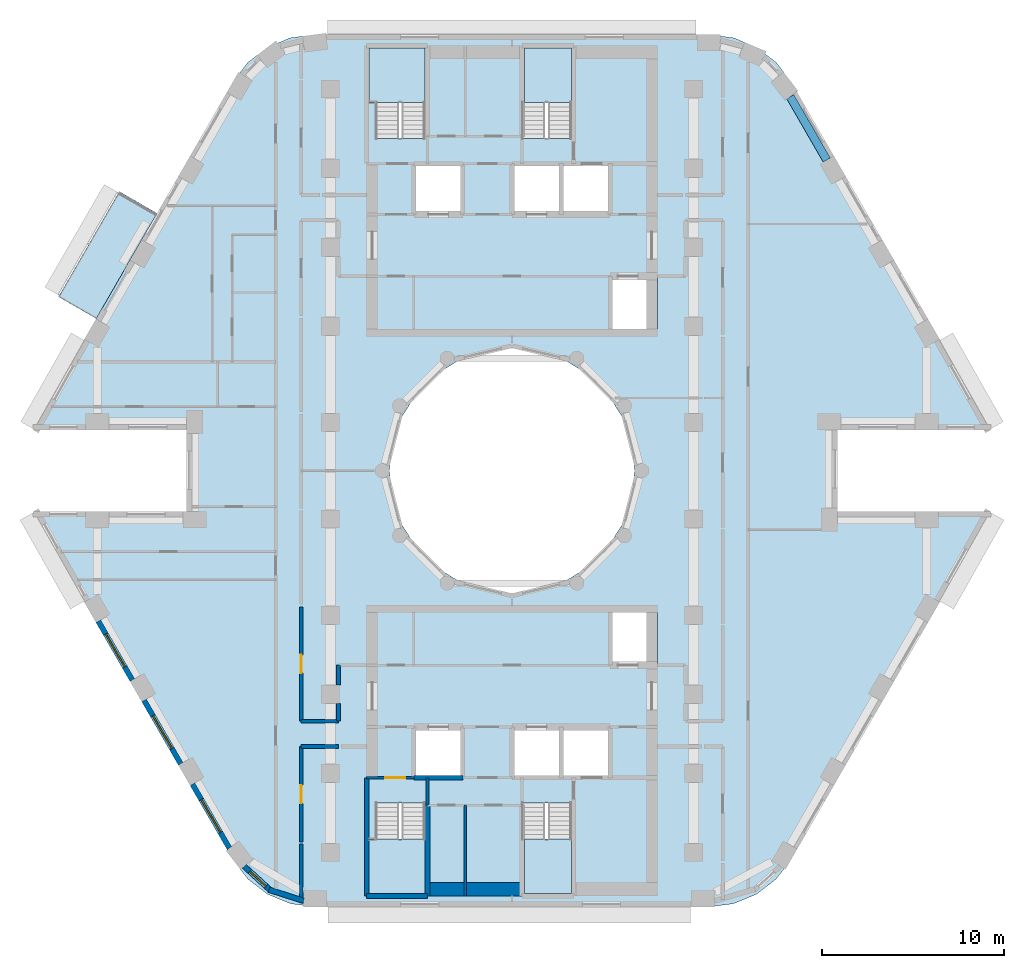
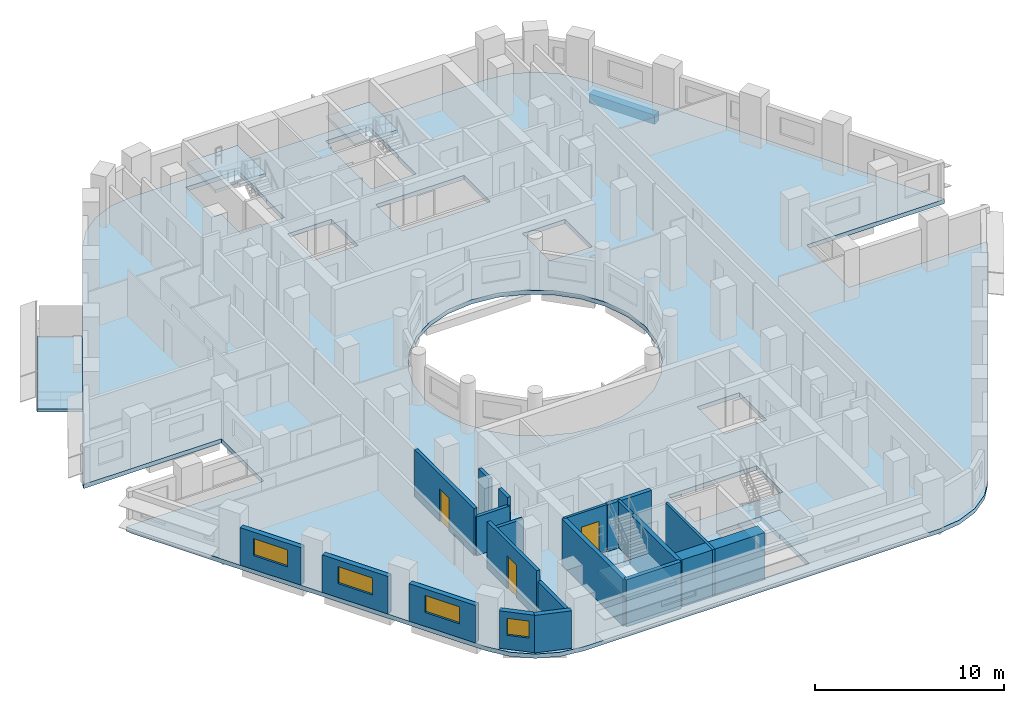
# One storey, part 2 of 13: 20 walls, 6 slabs, 4 windows, 3 doors, 1 beam, 7 openings, 4 elements without a shape of their own.
"""IFC4 building model written with IfcOpenShell, lengths in metres."""

from ifc_helpers import new_model, si_unit, direction, frame, frame_2d, origin, origin_2d, place, context, subcontext, project, spatial, polyline, rectangle, outline, extrude, material, layer, layer_set, material_profile, profile_set, type_object, element, fill, aggregate, save


model = new_model("IFC4")

# Units and contexts
model_context = context("Model", 3, precision=1e-05, world=origin(), true_north=direction((0.0, 1.0)))
body_context = subcontext(model_context, "Body", "Model", "MODEL_VIEW")
ifc_project = project(units=[si_unit("LENGTHUNIT", "METRE"), si_unit("AREAUNIT", "SQUARE_METRE"), si_unit("VOLUMEUNIT", "CUBIC_METRE"), si_unit("PLANEANGLEUNIT", "RADIAN"), si_unit("MASSUNIT", "GRAM", prefix="KILO")], contexts=[model_context])

# Site, building, storey
site_placement = place(None, origin())
site = spatial("IfcSite", under=ifc_project, at=site_placement, CompositionType="ELEMENT")
building_placement = place(site_placement, origin())
building = spatial("IfcBuilding", under=site, at=building_placement, Name="Nakaniwa Court", CompositionType="ELEMENT")
storey_placement = place(building_placement, frame((0.0, 0.0, 133.800048828125)))
storey = spatial("IfcBuildingStorey", under=building, at=storey_placement, Name="L34", CompositionType="ELEMENT", Elevation=133.800048828125)

# Beam
ifc_material_1 = material(Name="Concrete C80/100", Category="concrete")
ifc_material_profile = material_profile(ifc_material_1, rectangle(XDim=0.449951171875, YDim=0.60009765625, at=origin_2d()), Name="Concrete C80/100 RC 450x600 spandrel beam")
ifc_profile_set = profile_set([ifc_material_profile], Name="Concrete C80/100")
beam_type = type_object("IfcBeamType", Name="Concrete C80/100 RC 450x600 spandrel beam", PredefinedType="BEAM", material=ifc_profile_set)
beam_placement = place(storey_placement, frame((97.320556640625, 97.10009765625, -0.574951171875), z_axis=(-0.500018573463, 0.866014680125, 0.0), x_axis=(-0.866014680125, -0.500018573463, 0.0)))
element("IfcBeam", 1, at=beam_placement, inside=storey, type_object=beam_type, Name="SPANDREL BEAM", PredefinedType="BEAM", context=body_context, shape_type="SweptSolid", body=[
    extrude(rectangle(XDim=0.449951171875, YDim=0.60009765625, at=origin_2d()), origin(), (0.0, 0.0, 1.0), 4.020263671875),
])

# Slabs
ifc_material_2 = material(Name="Charcoal ceramic paver")
ifc_layer_1 = layer(ifc_material_2, 0.02, Name="Ceramic paver")
ifc_material_3 = material(Name="Cement sand screed")
ifc_layer_2 = layer(ifc_material_3, 0.03, Name="Falls screed")
ifc_material_4 = material(Name="Concrete C40/50", Category="concrete")
ifc_layer_3 = layer(ifc_material_4, 0.15, Name="Balcony slab")
ifc_layer_set_1 = layer_set([ifc_layer_1, ifc_layer_2, ifc_layer_3], Name="Concrete C40/50 balcony slab with ceramic paver finish")
slab_type_1 = type_object("IfcSlabType", Name="Balcony slab 200", PredefinedType="FLOOR", material=ifc_layer_set_1)
slab_1_placement = place(storey_placement, frame((0.0, 0.0, -0.25)))
element("IfcSlab", 2, at=slab_1_placement, inside=storey, type_object=slab_type_1, Name="L34 balcony 01", PredefinedType="FLOOR", context=body_context, shape_type="SweptSolid", body=[
    extrude(outline(polyline([(60.466796875, 94.16748046875), (57.12255859375, 88.375), (55.044189453125, 89.574951171875), (58.38818359375, 95.36767578125), (60.466796875, 94.16748046875)])), origin(), (0.0, 0.0, 1.0), 0.199951171875),
])
ifc_layer_4 = layer(ifc_material_1, 0.27490234375)
ifc_layer_set_2 = layer_set([ifc_layer_4], Name="Concrete C80/100")
slab_type_2 = type_object("IfcSlabType", Name="Concrete C80/100 post tensioned floor slab 275", PredefinedType="FLOOR", material=ifc_layer_set_2)
slab_2_placement = place(storey_placement, frame((0.0, 0.0, -0.275146484375)))
element("IfcSlab", 3, at=slab_2_placement, inside=storey, type_object=slab_type_2, Name="FLOOR SLAB", PredefinedType="FLOOR", context=body_context, shape_type="SweptSolid", body=[
    extrude(outline(polyline([(97.908447265625, 82.25), (106.356689453125, 82.25), (106.211669921875, 82.60009765625), (95.357421875, 101.39990234375), (94.531005859375, 102.47705078125), (93.4541015625, 103.30322265625), (92.199951171875, 103.82275390625), (90.854248046875, 104.0), (69.145751953125, 104.0), (67.800048828125, 103.82275390625), (66.5458984375, 103.30322265625), (65.468994140625, 102.47705078125), (64.642578125, 101.39990234375), (53.788330078125, 82.60009765625), (53.643310546875, 82.25), (62.091552734375, 82.25), (62.091552734375, 77.75), (53.643310546875, 77.75), (53.788330078125, 77.39990234375), (64.642578125, 58.60009765625), (65.468994140625, 57.52294921875), (66.5458984375, 56.69677734375), (67.800048828125, 56.17724609375), (69.145751953125, 56.0), (90.854248046875, 56.0), (92.199951171875, 56.17724609375), (93.4541015625, 56.69677734375), (94.531005859375, 57.52294921875), (95.357421875, 58.60009765625), (106.211669921875, 77.39990234375), (106.356689453125, 77.75), (97.908447265625, 77.75), (97.908447265625, 82.25)]), holes=[polyline([(81.501953125, 86.580810546875), (80.0, 86.75), (78.498046875, 86.580810546875), (77.0712890625, 86.08154296875), (75.79150390625, 85.27734375), (74.72265625, 84.20849609375), (73.91845703125, 82.9287109375), (73.419189453125, 81.501953125), (73.25, 80.0), (73.419189453125, 78.498046875), (73.91845703125, 77.0712890625), (74.72265625, 75.79150390625), (75.79150390625, 74.72265625), (77.0712890625, 73.91845703125), (78.498046875, 73.419189453125), (80.0, 73.25), (81.501953125, 73.419189453125), (82.9287109375, 73.91845703125), (84.20849609375, 74.72265625), (85.27734375, 75.79150390625), (86.08154296875, 77.0712890625), (86.580810546875, 78.498046875), (86.75, 80.0), (86.580810546875, 81.501953125), (86.08154296875, 82.9287109375), (85.27734375, 84.20849609375), (84.20849609375, 85.27734375), (82.9287109375, 86.08154296875), (81.501953125, 86.580810546875)]), polyline([(72.47509765625, 61.7099609375), (72.47509765625, 59.764892578125), (72.0849609375, 59.764892578125), (72.0849609375, 56.68505859375), (75.264892578125, 56.68505859375), (75.264892578125, 59.764892578125), (75.22509765625, 59.764892578125), (75.22509765625, 61.7099609375), (72.47509765625, 61.7099609375)]), polyline([(77.300048828125, 65.89990234375), (74.60009765625, 65.89990234375), (74.60009765625, 63.10009765625), (77.300048828125, 63.10009765625), (77.300048828125, 65.89990234375)]), polyline([(80.0, 65.89990234375), (80.0, 63.10009765625), (82.699951171875, 63.10009765625), (85.39990234375, 63.10009765625), (85.39990234375, 65.89990234375), (82.699951171875, 65.89990234375), (80.0, 65.89990234375)]), polyline([(77.300048828125, 96.89990234375), (74.60009765625, 96.89990234375), (74.60009765625, 94.10009765625), (77.300048828125, 94.10009765625), (77.300048828125, 96.89990234375)]), polyline([(80.0, 96.89990234375), (80.0, 94.10009765625), (82.699951171875, 94.10009765625), (85.39990234375, 94.10009765625), (85.39990234375, 96.89990234375), (82.699951171875, 96.89990234375), (80.0, 96.89990234375)]), polyline([(75.264892578125, 100.235107421875), (75.264892578125, 103.31494140625), (72.0849609375, 103.31494140625), (72.0849609375, 100.235107421875), (72.47509765625, 100.235107421875), (72.47509765625, 98.2900390625), (75.22509765625, 98.2900390625), (75.22509765625, 100.235107421875), (75.264892578125, 100.235107421875)]), polyline([(83.27490234375, 61.7099609375), (80.52490234375, 61.7099609375), (80.52490234375, 57.324951171875), (80.635009765625, 57.324951171875), (80.635009765625, 56.68505859375), (83.31494140625, 56.68505859375), (83.31494140625, 59.764892578125), (83.27490234375, 59.764892578125), (83.27490234375, 61.7099609375)]), polyline([(88.0, 72.199951171875), (85.39990234375, 72.199951171875), (85.39990234375, 69.300048828125), (88.0, 69.300048828125), (88.0, 72.199951171875)]), polyline([(88.0, 90.699951171875), (85.39990234375, 90.699951171875), (85.39990234375, 87.800048828125), (88.0, 87.800048828125), (88.0, 90.699951171875)]), polyline([(83.31494140625, 100.235107421875), (83.31494140625, 103.31494140625), (80.635009765625, 103.31494140625), (80.635009765625, 102.675048828125), (80.52490234375, 102.675048828125), (80.52490234375, 98.2900390625), (83.27490234375, 98.2900390625), (83.27490234375, 100.235107421875), (83.31494140625, 100.235107421875)])]), origin(), (0.0, 0.0, 1.0), 0.275146484375),
])

# Stair, slab
stair_type = type_object("IfcStairType", Name="Dog leg stair 1300 wide 18 risers", PredefinedType="HALF_TURN_STAIR", material=ifc_material_1)
stair_1_placement = place(storey_placement, origin())
stair_1 = element("IfcStair", 4, at=stair_1_placement, inside=storey, type_object=stair_type, Name="L34 Stair ST1", PredefinedType="HALF_TURN_STAIR")
ifc_layer_5 = layer(ifc_material_1, 0.199951171875)
ifc_layer_set_3 = layer_set([ifc_layer_5], Name="Concrete C80/100")
slab_type_3 = type_object("IfcSlabType", Name="Stair landing concrete", PredefinedType="LANDING", material=ifc_layer_set_3)
slab_3_placement = place(storey_placement, frame((0.0, 0.0, 1.449951171875)))
slab_3 = element("IfcSlab", 5, at=slab_3_placement, type_object=slab_type_3, Name="ST1 landing 1", PredefinedType="LANDING", context=body_context, shape_type="SweptSolid", body=[
    extrude(outline(polyline([(75.22509765625, 100.27490234375), (75.22509765625, 103.27490234375), (72.125, 103.27490234375), (72.125, 100.27490234375), (75.22509765625, 100.27490234375)])), origin(), (0.0, 0.0, 1.0), 0.199951171875),
])
aggregate(stair_1, [slab_3])

stair_2_placement = place(storey_placement, origin())
stair_2 = element("IfcStair", 6, at=stair_2_placement, inside=storey, type_object=stair_type, Name="L34 Stair ST2", PredefinedType="HALF_TURN_STAIR")
slab_4_placement = place(storey_placement, frame((0.0, 0.0, 1.449951171875)))
slab_4 = element("IfcSlab", 7, at=slab_4_placement, type_object=slab_type_3, Name="ST2 landing 1", PredefinedType="LANDING", context=body_context, shape_type="SweptSolid", body=[
    extrude(outline(polyline([(83.27490234375, 100.27490234375), (83.27490234375, 103.27490234375), (80.675048828125, 103.27490234375), (80.675048828125, 100.27490234375), (83.27490234375, 100.27490234375)])), origin(), (0.0, 0.0, 1.0), 0.199951171875),
])
aggregate(stair_2, [slab_4])

stair_3_placement = place(storey_placement, origin())
stair_3 = element("IfcStair", 8, at=stair_3_placement, inside=storey, type_object=stair_type, Name="L34 Stair ST3", PredefinedType="HALF_TURN_STAIR")
slab_5_placement = place(storey_placement, frame((0.0, 0.0, 1.449951171875)))
slab_5 = element("IfcSlab", 9, at=slab_5_placement, type_object=slab_type_3, Name="ST3 landing 1", PredefinedType="LANDING", context=body_context, shape_type="SweptSolid", body=[
    extrude(outline(polyline([(75.22509765625, 56.72509765625), (75.22509765625, 59.72509765625), (72.125, 59.72509765625), (72.125, 56.72509765625), (75.22509765625, 56.72509765625)])), origin(), (0.0, 0.0, 1.0), 0.199951171875),
])
aggregate(stair_3, [slab_5])

stair_4_placement = place(storey_placement, origin())
stair_4 = element("IfcStair", 10, at=stair_4_placement, inside=storey, type_object=stair_type, Name="L34 Stair ST4", PredefinedType="HALF_TURN_STAIR")
slab_6_placement = place(storey_placement, frame((0.0, 0.0, 1.449951171875)))
slab_6 = element("IfcSlab", 11, at=slab_6_placement, type_object=slab_type_3, Name="ST4 landing 1", PredefinedType="LANDING", context=body_context, shape_type="SweptSolid", body=[
    extrude(outline(polyline([(83.27490234375, 56.72509765625), (83.27490234375, 59.72509765625), (80.675048828125, 59.72509765625), (80.675048828125, 56.72509765625), (83.27490234375, 56.72509765625)])), origin(), (0.0, 0.0, 1.0), 0.199951171875),
])
aggregate(stair_4, [slab_6])

# Walls
ifc_material_5 = material(Name="Acoustic double stud partition")
ifc_layer_6 = layer(ifc_material_5, 0.199951171875)
ifc_layer_set_4 = layer_set([ifc_layer_6], Name="Acoustic double stud partition")
wall_type_1 = type_object("IfcWallType", Name="Acoustic double stud partition 200", PredefinedType="PARTITIONING", material=ifc_layer_set_4)
wall_1_placement = place(storey_placement, frame((68.39990234375, 64.824951171875, 0.0), z_axis=(0.0, 0.0, 1.0), x_axis=(1.0, 0.0, 0.0)))
element("IfcWall", 12, at=wall_1_placement, inside=storey, type_object=wall_type_1, Name="Partition PW-073", PredefinedType="PARTITIONING", context=body_context, shape_type="SweptSolid", body=[
    extrude(rectangle(XDim=2.06298828125, YDim=0.199951171875, at=frame_2d((1.031494140625, 0.0))), origin(), (0.0, 0.0, 1.0), 2.5048828125),
])
wall_2_placement = place(storey_placement, frame((68.39990234375, 66.22509765625, 0.0), z_axis=(0.0, 0.0, 1.0), x_axis=(1.0, 0.0, 0.0)))
element("IfcWall", 13, at=wall_2_placement, inside=storey, type_object=wall_type_1, Name="Partition PW-084", PredefinedType="PARTITIONING", context=body_context, shape_type="SweptSolid", body=[
    extrude(rectangle(XDim=2.050048828125, YDim=0.199951171875, at=frame_2d((1.02490234375, 0.0))), origin(), (0.0, 0.0, 1.0), 2.5048828125),
])
wall_3_placement = place(storey_placement, frame((68.39990234375, 56.40087890625, 0.0), z_axis=(0.0, 0.0, 1.0), x_axis=(0.0, 1.0, 0.0)))
element("IfcWall", 14, at=wall_3_placement, inside=storey, type_object=wall_type_1, Name="Partition PW-094", PredefinedType="PARTITIONING", context=body_context, shape_type="SweptSolid", body=[
    extrude(rectangle(XDim=3.06201171875, YDim=0.199951171875, at=frame_2d((1.531005859375, 0.0))), origin(), (0.0, 0.0, 1.0), 2.405029296875),
])

# Wall, opening, door
wall_4_placement = place(storey_placement, frame((68.39990234375, 64.824951171875, 0.0), z_axis=(0.0, 0.0, 1.0), x_axis=(0.0, -1.0, 0.0)))
wall_4 = element("IfcWall", 15, at=wall_4_placement, inside=storey, type_object=wall_type_1, Name="Partition PW-095", PredefinedType="PARTITIONING", context=body_context, shape_type="SweptSolid", body=[
    extrude(rectangle(XDim=5.247802734375, YDim=0.199951171875, at=frame_2d((2.6240234375, 0.0))), origin(), (0.0, 0.0, 1.0), 3.02490234375),
])
opening_1_placement = place(wall_4_placement, frame((2.123046875, 0.0, 0.0)))
opening_1 = element("IfcOpeningElement", 16, at=opening_1_placement, cuts=wall_4, Name="Opening D-02-06", PredefinedType="OPENING", context=body_context, shape_type="SweptSolid", body=[
    extrude(rectangle(XDim=1.0, YDim=2.10009765625, at=frame_2d((0.5, 1.050048828125))), frame((0.0, 0.10986328125, 0.0), z_axis=(0.0, -1.0, 0.0), x_axis=(1.0, 0.0, 0.0)), (0.0, 0.0, 1.0), 0.219970703125),
])
ifc_material_6 = material(Name="Solid core timber door set, black veneer", Category="wood")
door_type_1 = type_object("IfcDoorType", Name="Internal door 1000", OperationType="NOTDEFINED", PredefinedType="DOOR", material=ifc_material_6)
door_1_placement = place(opening_1_placement, origin())
door_1 = element("IfcDoor", 17, at=door_1_placement, inside=storey, type_object=door_type_1, Name="Door D-02-06 L34-026", OperationType="SINGLE_SWING_LEFT", OverallHeight=2.10009765625, OverallWidth=1.0, PredefinedType="DOOR", context=body_context, shape_type="SweptSolid", body=[
    extrude(rectangle(XDim=1.0, YDim=2.10009765625, at=frame_2d((0.5, 1.050048828125))), frame((0.0, 0.02490234375, 0.0), z_axis=(0.0, -1.0, 0.0), x_axis=(1.0, 0.0, 0.0)), (0.0, 0.0, 1.0), 0.050048828125),
])
fill(opening_1, door_1)

wall_5_placement = place(storey_placement, frame((68.39990234375, 72.5126953125, 0.0), z_axis=(0.0, 0.0, 1.0), x_axis=(0.0, -1.0, 0.0)))
wall_5 = element("IfcWall", 18, at=wall_5_placement, inside=storey, type_object=wall_type_1, Name="Partition PW-096", PredefinedType="PARTITIONING", context=body_context, shape_type="SweptSolid", body=[
    extrude(rectangle(XDim=6.28759765625, YDim=0.199951171875, at=frame_2d((3.143798828125, 0.0))), origin(), (0.0, 0.0, 1.0), 3.02490234375),
])
opening_2_placement = place(wall_5_placement, frame((2.64501953125, 0.0, 0.0)))
opening_2 = element("IfcOpeningElement", 19, at=opening_2_placement, cuts=wall_5, Name="Opening D-02-08", PredefinedType="OPENING", context=body_context, shape_type="SweptSolid", body=[
    extrude(rectangle(XDim=1.0, YDim=2.10009765625, at=frame_2d((0.5, 1.050048828125))), frame((0.0, 0.10986328125, 0.0), z_axis=(0.0, -1.0, 0.0), x_axis=(1.0, 0.0, 0.0)), (0.0, 0.0, 1.0), 0.219970703125),
])
door_2_placement = place(opening_2_placement, origin())
door_2 = element("IfcDoor", 20, at=door_2_placement, inside=storey, type_object=door_type_1, Name="Door D-02-08 L34-028", OperationType="SINGLE_SWING_LEFT", OverallHeight=2.10009765625, OverallWidth=1.0, PredefinedType="DOOR", context=body_context, shape_type="SweptSolid", body=[
    extrude(rectangle(XDim=1.0, YDim=2.10009765625, at=frame_2d((0.5, 1.050048828125))), frame((0.0, 0.02490234375, 0.0), z_axis=(0.0, -1.0, 0.0), x_axis=(1.0, 0.0, 0.0)), (0.0, 0.0, 1.0), 0.050048828125),
])
fill(opening_2, door_2)

# Walls
wall_6_placement = place(storey_placement, frame((70.449951171875, 66.22509765625, 0.0), z_axis=(0.0, 0.0, 1.0), x_axis=(0.0, 1.0, 0.0)))
element("IfcWall", 21, at=wall_6_placement, inside=storey, type_object=wall_type_1, Name="Partition PW-104", PredefinedType="PARTITIONING", context=body_context, shape_type="SweptSolid", body=[
    extrude(rectangle(XDim=0.957763671875, YDim=0.199951171875, at=frame_2d((0.47900390625, 0.0))), origin(), (0.0, 0.0, 1.0), 3.02490234375),
])
wall_7_placement = place(storey_placement, frame((70.449951171875, 68.21728515625, 0.0), z_axis=(0.0, 0.0, 1.0), x_axis=(0.0, 1.0, 0.0)))
element("IfcWall", 22, at=wall_7_placement, inside=storey, type_object=wall_type_1, Name="Partition PW-105", PredefinedType="PARTITIONING", context=body_context, shape_type="SweptSolid", body=[
    extrude(rectangle(XDim=1.082763671875, YDim=0.199951171875, at=frame_2d((0.54150390625, 0.0))), origin(), (0.0, 0.0, 1.0), 3.02490234375),
])

# Wall, opening, window
ifc_material_7 = material(Name="Charcoal ceramic cladding")
ifc_layer_7 = layer(ifc_material_7, 0.02, Name="Ceramic cladding")
ifc_material_8 = material(Name="Ventilated air cavity")
ifc_layer_8 = layer(ifc_material_8, 0.04, ventilated=True, Name="Ventilated cavity")
ifc_material_9 = material(Name="Mineral wool insulation")
ifc_layer_9 = layer(ifc_material_9, 0.1, Name="Insulation")
ifc_material_10 = material(Name="Cement bonded sheathing board")
ifc_layer_10 = layer(ifc_material_10, 0.012, Name="Sheathing")
ifc_material_11 = material(Name="Cold-formed galvanised stud frame with mineral wool infill")
ifc_layer_11 = layer(ifc_material_11, 0.1, Name="Stud frame")
ifc_material_12 = material(Name="Fire-rated gypsum plasterboard lining")
ifc_layer_12 = layer(ifc_material_12, 0.028, Name="Lining")
ifc_layer_set_5 = layer_set([ifc_layer_7, ifc_layer_8, ifc_layer_9, ifc_layer_10, ifc_layer_11, ifc_layer_12], Name="Charcoal ceramic faced external wall system")
wall_type_2 = type_object("IfcWallType", Name="Black ceramic faced external wall 300", PredefinedType="SOLIDWALL", material=ifc_layer_set_5)
wall_8_placement = place(storey_placement, frame((57.240478515625, 71.720947265625, 0.0), z_axis=(0.0, 0.0, 1.0), x_axis=(0.499933594891, -0.866063739398, 0.0)))
wall_8 = element("IfcWall", 23, at=wall_8_placement, inside=storey, type_object=wall_type_2, Name="L34 external wall 21", PredefinedType="SOLIDWALL", context=body_context, shape_type="SweptSolid", body=[
    extrude(rectangle(XDim=3.73681640625, YDim=0.300048828125, at=frame_2d((1.868408203125, 0.0))), origin(), (0.0, 0.0, 1.0), 2.425048828125),
])
opening_3_placement = place(wall_8_placement, frame((0.818359375, 0.0, 0.89990234375)))
opening_3 = element("IfcOpeningElement", 24, at=opening_3_placement, cuts=wall_8, Name="Opening W7.23", PredefinedType="OPENING", context=body_context, shape_type="SweptSolid", body=[
    extrude(rectangle(XDim=2.10009765625, YDim=1.10009765625, at=frame_2d((1.050048828125, 0.550048828125))), frame((0.0, 0.159912109375, 0.0), z_axis=(0.0, -1.0, 0.0), x_axis=(1.0, 0.0, 0.0)), (0.0, 0.0, 1.0), 0.320068359375),
])
ifc_material_13 = material(Name="Black anodised aluminium frame with dark low-E laminated double glazing", Category="aluminium")
window_type_1 = type_object("IfcWindowType", Name="Dark glass window 2100x1100 sill 900", PartitioningType="SINGLE_PANEL", PredefinedType="WINDOW", material=ifc_material_13)
window_1_placement = place(opening_3_placement, origin())
window_1 = element("IfcWindow", 25, at=window_1_placement, inside=storey, type_object=window_type_1, Name="L34 habitable room window 21-0", OverallHeight=1.10009765625, OverallWidth=2.10009765625, PartitioningType="SINGLE_PANEL", PredefinedType="WINDOW", context=body_context, shape_type="SweptSolid", body=[
    extrude(rectangle(XDim=2.10009765625, YDim=1.10009765625, at=frame_2d((1.050048828125, 0.550048828125))), frame((0.0, 0.030029296875, 0.0), z_axis=(0.0, -1.0, 0.0), x_axis=(1.0, 0.0, 0.0)), (0.0, 0.0, 1.0), 0.06005859375),
])
fill(opening_3, window_1)

wall_9_placement = place(storey_placement, frame((59.754638671875, 67.36572265625, 0.0), z_axis=(0.0, 0.0, 1.0), x_axis=(0.500031546601, -0.86600718958, 0.0)))
wall_9 = element("IfcWall", 26, at=wall_9_placement, inside=storey, type_object=wall_type_2, Name="L34 external wall 22", PredefinedType="SOLIDWALL", context=body_context, shape_type="SweptSolid", body=[
    extrude(rectangle(XDim=4.033935546875, YDim=0.300048828125, at=frame_2d((2.01708984375, 0.0))), origin(), (0.0, 0.0, 1.0), 2.425048828125),
])
opening_4_placement = place(wall_9_placement, frame((0.966796875, 0.0, 0.89990234375)))
opening_4 = element("IfcOpeningElement", 27, at=opening_4_placement, cuts=wall_9, Name="Opening W7.24", PredefinedType="OPENING", context=body_context, shape_type="SweptSolid", body=[
    extrude(rectangle(XDim=2.10009765625, YDim=1.10009765625, at=frame_2d((1.050048828125, 0.550048828125))), frame((0.0, 0.159912109375, 0.0), z_axis=(0.0, -1.0, 0.0), x_axis=(1.0, 0.0, 0.0)), (0.0, 0.0, 1.0), 0.320068359375),
])
window_2_placement = place(opening_4_placement, origin())
window_2 = element("IfcWindow", 28, at=window_2_placement, inside=storey, type_object=window_type_1, Name="L34 habitable room window 22-0", OverallHeight=1.10009765625, OverallWidth=2.10009765625, PartitioningType="SINGLE_PANEL", PredefinedType="WINDOW", context=body_context, shape_type="SweptSolid", body=[
    extrude(rectangle(XDim=2.10009765625, YDim=1.10009765625, at=frame_2d((1.050048828125, 0.550048828125))), frame((0.0, 0.030029296875, 0.0), z_axis=(0.0, -1.0, 0.0), x_axis=(1.0, 0.0, 0.0)), (0.0, 0.0, 1.0), 0.06005859375),
])
fill(opening_4, window_2)

wall_10_placement = place(storey_placement, frame((62.417724609375, 62.75341796875, 0.0), z_axis=(0.0, 0.0, 1.0), x_axis=(0.500018589245, -0.866014671013, 0.0)))
wall_10 = element("IfcWall", 29, at=wall_10_placement, inside=storey, type_object=wall_type_2, Name="L34 external wall 23", PredefinedType="SOLIDWALL", context=body_context, shape_type="SweptSolid", body=[
    extrude(rectangle(XDim=4.067626953125, YDim=0.300048828125, at=frame_2d((2.03369140625, 0.0))), origin(), (0.0, 0.0, 1.0), 2.425048828125),
])
opening_5_placement = place(wall_10_placement, frame((0.97265625, 0.0, 0.89990234375)))
opening_5 = element("IfcOpeningElement", 30, at=opening_5_placement, cuts=wall_10, Name="Opening W7.25", PredefinedType="OPENING", context=body_context, shape_type="SweptSolid", body=[
    extrude(rectangle(XDim=2.10009765625, YDim=1.10009765625, at=frame_2d((1.050048828125, 0.550048828125))), frame((0.0, 0.159912109375, 0.0), z_axis=(0.0, -1.0, 0.0), x_axis=(1.0, 0.0, 0.0)), (0.0, 0.0, 1.0), 0.320068359375),
])
window_3_placement = place(opening_5_placement, origin())
window_3 = element("IfcWindow", 31, at=window_3_placement, inside=storey, type_object=window_type_1, Name="L34 habitable room window 23-0", OverallHeight=1.10009765625, OverallWidth=2.10009765625, PartitioningType="SINGLE_PANEL", PredefinedType="WINDOW", context=body_context, shape_type="SweptSolid", body=[
    extrude(rectangle(XDim=2.10009765625, YDim=1.10009765625, at=frame_2d((1.050048828125, 0.550048828125))), frame((0.0, 0.030029296875, 0.0), z_axis=(0.0, -1.0, 0.0), x_axis=(1.0, 0.0, 0.0)), (0.0, 0.0, 1.0), 0.06005859375),
])
fill(opening_5, window_3)

wall_11_placement = place(storey_placement, frame((65.26904296875, 58.229248046875, 0.0), z_axis=(0.0, 0.0, 1.0), x_axis=(0.737487298625, -0.675361002995, 0.0)))
wall_11 = element("IfcWall", 32, at=wall_11_placement, inside=storey, type_object=wall_type_2, Name="L34 external wall 24", PredefinedType="SOLIDWALL", context=body_context, shape_type="SweptSolid", body=[
    extrude(rectangle(XDim=1.9765625, YDim=0.300048828125, at=frame_2d((0.98828125, 0.0))), origin(), (0.0, 0.0, 1.0), 2.425048828125),
])
opening_6_placement = place(wall_11_placement, frame((0.41552734375, 0.0, 0.89990234375)))
opening_6 = element("IfcOpeningElement", 33, at=opening_6_placement, cuts=wall_11, Name="Opening W6.26", PredefinedType="OPENING", context=body_context, shape_type="SweptSolid", body=[
    extrude(rectangle(XDim=1.199951171875, YDim=1.10009765625, at=frame_2d((0.60009765625, 0.550048828125))), frame((0.0, 0.159912109375, 0.0), z_axis=(0.0, -1.0, 0.0), x_axis=(1.0, 0.0, 0.0)), (0.0, 0.0, 1.0), 0.320068359375),
])
window_type_2 = type_object("IfcWindowType", Name="Dark glass window 1200x1100 sill 900", PartitioningType="SINGLE_PANEL", PredefinedType="WINDOW", material=ifc_material_13)
window_4_placement = place(opening_6_placement, origin())
window_4 = element("IfcWindow", 34, at=window_4_placement, inside=storey, type_object=window_type_2, Name="L34 habitable room window 24-0", OverallHeight=1.10009765625, OverallWidth=1.199951171875, PartitioningType="SINGLE_PANEL", PredefinedType="WINDOW", context=body_context, shape_type="SweptSolid", body=[
    extrude(rectangle(XDim=1.199951171875, YDim=1.10009765625, at=frame_2d((0.60009765625, 0.550048828125))), frame((0.0, 0.030029296875, 0.0), z_axis=(0.0, -1.0, 0.0), x_axis=(1.0, 0.0, 0.0)), (0.0, 0.0, 1.0), 0.06005859375),
])
fill(opening_6, window_4)

# Walls
wall_12_placement = place(storey_placement, frame((66.625732421875, 56.94580078125, 0.0), z_axis=(0.0, 0.0, 1.0), x_axis=(0.952201240673, -0.305471434444, 0.0)))
element("IfcWall", 35, at=wall_12_placement, inside=storey, type_object=wall_type_2, Name="L34 external wall 25", PredefinedType="SOLIDWALL", context=body_context, shape_type="SweptSolid", body=[
    extrude(rectangle(XDim=1.998779296875, YDim=0.300048828125, at=frame_2d((0.99951171875, 0.0))), origin(), (0.0, 0.0, 1.0), 2.425048828125),
])
ifc_material_14 = material(Name="Blockwork partition", Category="masonry")
ifc_layer_13 = layer(ifc_material_14, 0.14990234375)
ifc_layer_set_6 = layer_set([ifc_layer_13], Name="Blockwork partition")
wall_type_3 = type_object("IfcWallType", Name="Blockwork partition 150", PredefinedType="PARTITIONING", material=ifc_layer_set_6)
wall_13_placement = place(storey_placement, frame((77.429931640625, 56.60009765625, 0.0), z_axis=(0.0, 0.0, 1.0), x_axis=(0.0, 1.0, 0.0)))
element("IfcWall", 36, at=wall_13_placement, inside=storey, type_object=wall_type_3, Name="Partition PW-064", PredefinedType="PARTITIONING", context=body_context, shape_type="SweptSolid", body=[
    extrude(rectangle(XDim=5.0, YDim=0.14990234375, at=frame_2d((2.5, 0.0))), origin(), (0.0, 0.0, 1.0), 3.02490234375),
])

# Wall, opening, door
ifc_layer_14 = layer(ifc_material_1, 0.14990234375)
ifc_layer_set_7 = layer_set([ifc_layer_14], Name="Concrete C80/100")
wall_type_4 = type_object("IfcWallType", Name="Concrete core wall 150 C80", PredefinedType="SHEAR", material=ifc_layer_set_7)
wall_14_placement = place(storey_placement, frame((72.0, 63.10009765625, -0.275146484375), z_axis=(0.0, 0.0, 1.0), x_axis=(1.0, 0.0, 0.0)))
wall_14 = element("IfcWall", 37, at=wall_14_placement, inside=storey, type_object=wall_type_4, Name="Core wall SW-46", PredefinedType="SHEAR", context=body_context, shape_type="SweptSolid", body=[
    extrude(rectangle(XDim=2.60009765625, YDim=0.14990234375, at=frame_2d((1.300048828125, 0.0))), origin(), (0.0, 0.0, 1.0), 3.300048828125),
])
opening_7_placement = place(wall_14_placement, frame((1.02001953125, 0.0, 0.27490234375)))
opening_7 = element("IfcOpeningElement", 38, at=opening_7_placement, cuts=wall_14, Name="Opening D-09-02", PredefinedType="OPENING", context=body_context, shape_type="SweptSolid", body=[
    extrude(rectangle(XDim=1.10009765625, YDim=2.10009765625, at=frame_2d((0.550048828125, 1.050048828125))), frame((0.0, 0.0849609375, 0.0), z_axis=(0.0, -1.0, 0.0), x_axis=(1.0, 0.0, 0.0)), (0.0, 0.0, 1.0), 0.169921875),
])
ifc_material_15 = material(Name="Fire rated steel door set", Category="steel")
door_type_2 = type_object("IfcDoorType", Name="Stair door 1100", OperationType="NOTDEFINED", PredefinedType="DOOR", material=ifc_material_15)
door_3_placement = place(opening_7_placement, origin())
door_3 = element("IfcDoor", 39, at=door_3_placement, inside=storey, type_object=door_type_2, Name="Door D-09-02 L34-019", OperationType="SINGLE_SWING_LEFT", OverallHeight=2.10009765625, OverallWidth=1.10009765625, PredefinedType="DOOR", context=body_context, shape_type="SweptSolid", body=[
    extrude(rectangle(XDim=1.10009765625, YDim=2.10009765625, at=frame_2d((0.550048828125, 1.050048828125))), frame((0.0, 0.02490234375, 0.0), z_axis=(0.0, -1.0, 0.0), x_axis=(1.0, 0.0, 0.0)), (0.0, 0.0, 1.0), 0.050048828125),
])
fill(opening_7, door_3)

# Walls
wall_15_placement = place(storey_placement, frame((75.35009765625, 61.596923828125, -0.275146484375), z_axis=(0.0, 0.0, 1.0), x_axis=(0.0, 1.0, 0.0)))
element("IfcWall", 40, at=wall_15_placement, inside=storey, type_object=wall_type_4, Name="Core wall SW-53", PredefinedType="SHEAR", context=body_context, shape_type="SweptSolid", body=[
    extrude(rectangle(XDim=1.503173828125, YDim=0.14990234375, at=frame_2d((0.75146484375, 0.0))), origin(), (0.0, 0.0, 1.0), 3.300048828125),
])
ifc_layer_15 = layer(ifc_material_1, 0.25)
ifc_layer_set_8 = layer_set([ifc_layer_15], Name="Concrete C80/100")
wall_type_5 = type_object("IfcWallType", Name="Concrete core wall 250 C80", PredefinedType="SHEAR", material=ifc_layer_set_8)
wall_16_placement = place(storey_placement, frame((72.0, 56.60009765625, -0.275146484375), z_axis=(0.0, 0.0, 1.0), x_axis=(0.0, 1.0, 0.0)))
element("IfcWall", 41, at=wall_16_placement, inside=storey, type_object=wall_type_5, Name="Core wall SW-55", PredefinedType="SHEAR", context=body_context, shape_type="SweptSolid", body=[
    extrude(rectangle(XDim=6.5, YDim=0.25, at=frame_2d((3.25, 0.0))), origin(), (0.0, 0.0, 1.0), 3.300048828125),
])
wall_17_placement = place(storey_placement, frame((72.0, 56.60009765625, -0.275146484375), z_axis=(0.0, 0.0, 1.0), x_axis=(1.0, 0.0, 0.0)))
element("IfcWall", 42, at=wall_17_placement, inside=storey, type_object=wall_type_5, Name="Core wall SW-56", PredefinedType="SHEAR", context=body_context, shape_type="SweptSolid", body=[
    extrude(rectangle(XDim=3.35009765625, YDim=0.25, at=frame_2d((1.675048828125, 0.0))), origin(), (0.0, 0.0, 1.0), 3.300048828125),
])
ifc_layer_16 = layer(ifc_material_1, 0.75)
ifc_layer_set_9 = layer_set([ifc_layer_16], Name="Concrete C80/100")
wall_type_6 = type_object("IfcWallType", Name="Concrete core wall 750 C80", PredefinedType="SHEAR", material=ifc_layer_set_9)
wall_18_placement = place(storey_placement, frame((75.35009765625, 56.97509765625, -0.275146484375), z_axis=(0.0, 0.0, 1.0), x_axis=(1.0, 0.0, 0.0)))
element("IfcWall", 43, at=wall_18_placement, inside=storey, type_object=wall_type_6, Name="Core wall SW-61", PredefinedType="SHEAR", context=body_context, shape_type="SweptSolid", body=[
    extrude(rectangle(XDim=5.199951171875, YDim=0.75, at=frame_2d((2.60009765625, 0.0))), origin(), (0.0, 0.0, 1.0), 3.300048828125),
])
ifc_layer_17 = layer(ifc_material_1, 0.25)
ifc_layer_set_10 = layer_set([ifc_layer_17], Name="Concrete C80/100")
wall_type_7 = type_object("IfcWallType", Name="Concrete shaft wall 250 C80", PredefinedType="SHEAR", material=ifc_layer_set_10)
wall_19_placement = place(storey_placement, frame((74.60009765625, 63.10009765625, -0.275146484375), z_axis=(0.0, 0.0, 1.0), x_axis=(1.0, 0.0, 0.0)))
element("IfcWall", 44, at=wall_19_placement, inside=storey, type_object=wall_type_7, Name="Core wall SW-48", PredefinedType="SHEAR", context=body_context, shape_type="SweptSolid", body=[
    extrude(rectangle(XDim=2.699951171875, YDim=0.25, at=frame_2d((1.35009765625, 0.0))), origin(), (0.0, 0.0, 1.0), 3.300048828125),
])
wall_20_placement = place(storey_placement, frame((75.35009765625, 56.60009765625, -0.275146484375), z_axis=(0.0, 0.0, 1.0), x_axis=(0.0, 1.0, 0.0)))
element("IfcWall", 45, at=wall_20_placement, inside=storey, type_object=wall_type_7, Name="Core wall SW-54", PredefinedType="SHEAR", context=body_context, shape_type="SweptSolid", body=[
    extrude(rectangle(XDim=5.0029296875, YDim=0.25, at=frame_2d((2.50146484375, 0.0))), origin(), (0.0, 0.0, 1.0), 3.300048828125),
])

save(model, "model.ifc")
